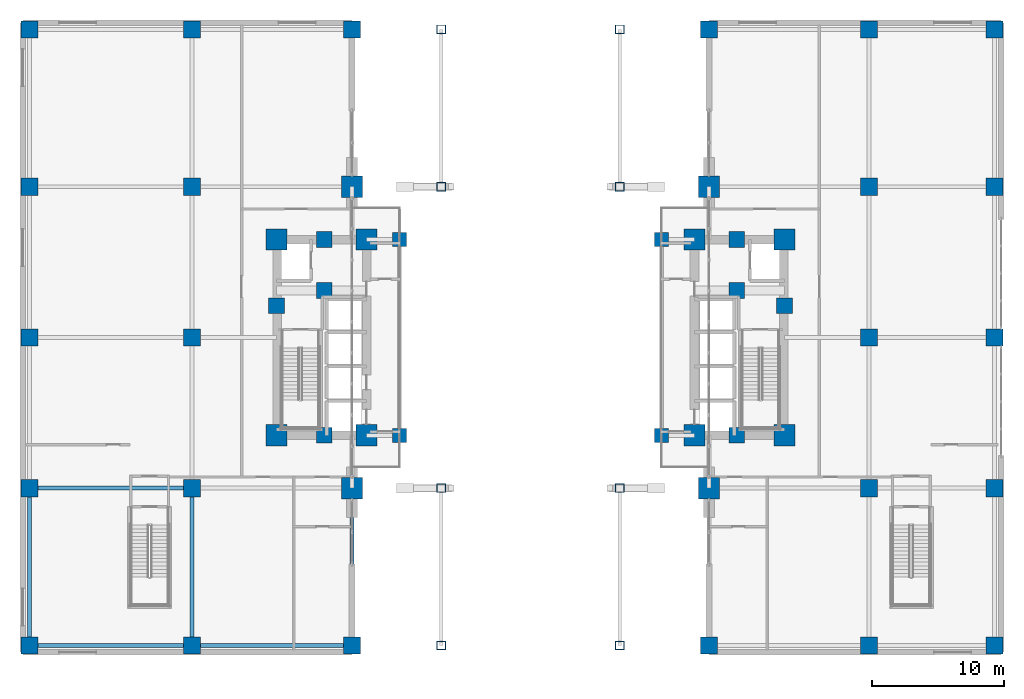
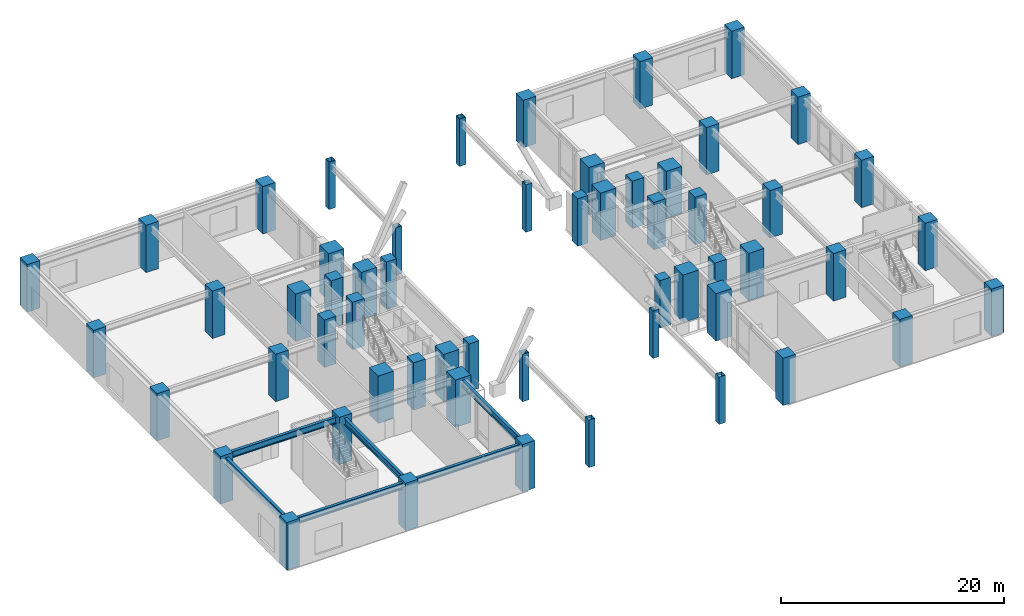
# One storey, part 1 of 26: 56 columns, 6 beams.
"""IFC4 building model written with IfcOpenShell, lengths in metres."""

from ifc_helpers import new_model, si_unit, direction, frame, origin, origin_2d, place, context, subcontext, project, spatial, rectangle, hollow_rectangle, i_section, extrude, material, material_profile, profile_set, type_object, element, save


model = new_model("IFC4")

# Units and contexts
model_context = context("Model", 3, precision=1e-05, world=origin(), true_north=direction((0.0, 1.0)))
body_context = subcontext(model_context, "Body", "Model", "MODEL_VIEW")
ifc_project = project(units=[si_unit("LENGTHUNIT", "METRE"), si_unit("AREAUNIT", "SQUARE_METRE"), si_unit("VOLUMEUNIT", "CUBIC_METRE"), si_unit("PLANEANGLEUNIT", "RADIAN"), si_unit("MASSUNIT", "GRAM", prefix="KILO")], contexts=[model_context])

# Site, building, storey
site_placement = place(None, origin())
site = spatial("IfcSite", under=ifc_project, at=site_placement, CompositionType="ELEMENT")
building_placement = place(site_placement, origin())
building = spatial("IfcBuilding", under=site, at=building_placement, Name="Voryun Gate Residences", CompositionType="ELEMENT")
storey_placement = place(building_placement, frame((0.0, 0.0, 10.39990234375)))
storey = spatial("IfcBuildingStorey", under=building, at=storey_placement, Name="L02", CompositionType="ELEMENT", Elevation=10.39990234375)

# Columns
ifc_material_1 = material(Name="Steel SM420", Category="steel")
ifc_material_profile_1 = material_profile(ifc_material_1, hollow_rectangle(XDim=0.64990234375, YDim=0.64990234375, WallThickness=0.028076171875, at=origin_2d()), Name="BOX-650x650x28")
ifc_profile_set_1 = profile_set([ifc_material_profile_1], Name="Steel SM420")
column_type_1 = type_object("IfcColumnType", Name="COL_ARCH_SPANDREL", PredefinedType="COLUMN", material=ifc_profile_set_1)
for number, where, z_axis, x_axis, name in (
    (1, (-6.75, -23.300048828125, 0.0), (0.0, 0.0, 1.0), (1.0, 0.0, 0.0), "L02 Gate Portal Column (-6.75,-23.3)"),
    (2, (-6.75, -11.39990234375, 0.0), (0.0, 0.0, 1.0), (1.0, 0.0, 0.0), "L02 Gate Portal Column (-6.75,-11.4)"),
    (3, (-6.75, 11.39990234375, 0.0), (0.0, 0.0, 1.0), (1.0, 0.0, 0.0), "L02 Gate Portal Column (-6.75,+11.4)"),
    (4, (-6.75, 23.300048828125, 0.0), (0.0, 0.0, 1.0), (1.0, 0.0, 0.0), "L02 Gate Portal Column (-6.75,+23.3)"),
    (5, (6.75, -23.300048828125, 0.0), (0.0, 0.0, 1.0), (1.0, 0.0, 0.0), "L02 Gate Portal Column (+6.75,-23.3)"),
    (6, (6.75, -11.39990234375, 0.0), (0.0, 0.0, 1.0), (1.0, 0.0, 0.0), "L02 Gate Portal Column (+6.75,-11.4)"),
    (7, (6.75, 11.39990234375, 0.0), (0.0, 0.0, 1.0), (1.0, 0.0, 0.0), "L02 Gate Portal Column (+6.75,+11.4)"),
    (8, (6.75, 23.300048828125, 0.0), (0.0, 0.0, 1.0), (1.0, 0.0, 0.0), "L02 Gate Portal Column (+6.75,+23.3)"),
):
    element("IfcColumn", number, at=place(storey_placement, frame(where, z_axis=z_axis, x_axis=x_axis)), inside=storey, type_object=column_type_1, Name=name, PredefinedType="COLUMN", context=body_context, shape_type="SweptSolid", body=[
        extrude(hollow_rectangle(XDim=0.64990234375, YDim=0.64990234375, WallThickness=0.028076171875, at=origin_2d()), origin(), (0.0, 0.0, 1.0), 5.2001953125),
    ])
ifc_material_2 = material(Name="Concrete C50/60", Category="concrete")
ifc_material_profile_2 = material_profile(ifc_material_2, rectangle(XDim=1.050048828125, YDim=1.050048828125, at=origin_2d()), Name="RC-1050x1050")
ifc_profile_set_2 = profile_set([ifc_material_profile_2], Name="Concrete C50/60")
column_type_2 = type_object("IfcColumnType", Name="COL_CORE_1050", PredefinedType="COLUMN", material=ifc_profile_set_2)
for number, where, z_axis, x_axis, name in (
    (9, (-9.89990234375, -7.39990234375, 0.0), (0.0, 0.0, 1.0), (1.0, 0.0, 0.0), "L02 Core collar column CLR-WS"),
    (10, (-9.89990234375, 7.39990234375, 0.0), (0.0, 0.0, 1.0), (1.0, 0.0, 0.0), "L02 Core collar column CLR-WN"),
    (11, (9.89990234375, -7.39990234375, 0.0), (0.0, 0.0, 1.0), (1.0, 0.0, 0.0), "L02 Core collar column CLR-ES"),
    (12, (9.89990234375, 7.39990234375, 0.0), (0.0, 0.0, 1.0), (1.0, 0.0, 0.0), "L02 Core collar column CLR-EN"),
):
    element("IfcColumn", number, at=place(storey_placement, frame(where, z_axis=z_axis, x_axis=x_axis)), inside=storey, type_object=column_type_2, Name=name, PredefinedType="COLUMN", context=body_context, shape_type="SweptSolid", body=[
        extrude(rectangle(XDim=1.050048828125, YDim=1.050048828125, at=origin_2d()), origin(), (0.0, 0.0, 1.0), 5.2001953125),
    ])
ifc_material_3 = material(Name="Concrete C60/75", Category="concrete")
ifc_material_profile_3 = material_profile(ifc_material_3, rectangle(XDim=1.199951171875, YDim=1.199951171875, at=origin_2d()), Name="RC-1200x1200")
ifc_profile_set_3 = profile_set([ifc_material_profile_3], Name="Concrete C60/75")
column_type_3 = type_object("IfcColumnType", Name="COL_CORE_1200", PredefinedType="COLUMN", material=ifc_profile_set_3)
for number, where, z_axis, x_axis, name in (
    (13, (-19.199951171875, 2.39990234375, 0.0), (0.0, 0.0, 1.0), (1.0, 0.0, 0.0), "L02 Core boundary column WC-MW"),
    (14, (-15.60009765625, -7.39990234375, 0.0), (0.0, 0.0, 1.0), (1.0, 0.0, 0.0), "L02 Core boundary column WC-SM"),
    (15, (-15.60009765625, 7.39990234375, 0.0), (0.0, 0.0, 1.0), (1.0, 0.0, 0.0), "L02 Core boundary column WC-NM"),
    (16, (-15.60009765625, 3.550048828125, 0.0), (0.0, 0.0, 1.0), (1.0, 0.0, 0.0), "L02 Core boundary column WC-MM"),
    (17, (15.60009765625, 3.550048828125, 0.0), (0.0, 0.0, 1.0), (1.0, 0.0, 0.0), "L02 Core boundary column EC-MM"),
    (18, (15.60009765625, -7.39990234375, 0.0), (0.0, 0.0, 1.0), (1.0, 0.0, 0.0), "L02 Core boundary column EC-SM"),
    (19, (15.60009765625, 7.39990234375, 0.0), (0.0, 0.0, 1.0), (1.0, 0.0, 0.0), "L02 Core boundary column EC-NM"),
    (20, (19.199951171875, 2.39990234375, 0.0), (0.0, 0.0, 1.0), (1.0, 0.0, 0.0), "L02 Core boundary column EC-ME"),
):
    element("IfcColumn", number, at=place(storey_placement, frame(where, z_axis=z_axis, x_axis=x_axis)), inside=storey, type_object=column_type_3, Name=name, PredefinedType="COLUMN", context=body_context, shape_type="SweptSolid", body=[
        extrude(rectangle(XDim=1.199951171875, YDim=1.199951171875, at=origin_2d()), origin(), (0.0, 0.0, 1.0), 5.2001953125),
    ])
ifc_material_4 = material(Name="Concrete C60/75", Category="concrete")
ifc_material_profile_4 = material_profile(ifc_material_4, rectangle(XDim=1.300048828125, YDim=1.300048828125, at=origin_2d()), Name="RC-1300x1300")
ifc_profile_set_4 = profile_set([ifc_material_profile_4], Name="Concrete C60/75")
column_type_4 = type_object("IfcColumnType", Name="COL_MEGA_1300", PredefinedType="COLUMN", material=ifc_profile_set_4)
for number, where, z_axis, x_axis, name in (
    (21, (-37.89990234375, -23.300048828125, 0.0), (0.0, 0.0, 1.0), (1.0, 0.0, 0.0), "L02 Podium pier column W11"),
    (22, (-37.89990234375, -11.39990234375, 0.0), (0.0, 0.0, 1.0), (1.0, 0.0, 0.0), "L02 Podium pier column W12"),
    (23, (-37.89990234375, 0.0, 0.0), (0.0, 0.0, 1.0), (1.0, 0.0, 0.0), "L02 Podium pier column W13"),
    (24, (-37.89990234375, 11.39990234375, 0.0), (0.0, 0.0, 1.0), (1.0, 0.0, 0.0), "L02 Podium pier column W14"),
    (25, (-37.89990234375, 23.300048828125, 0.0), (0.0, 0.0, 1.0), (1.0, 0.0, 0.0), "L02 Podium pier column W15"),
    (26, (-25.60009765625, -23.300048828125, 0.0), (0.0, 0.0, 1.0), (1.0, 0.0, 0.0), "L02 Podium pier column W21"),
    (27, (-25.60009765625, -11.39990234375, 0.0), (0.0, 0.0, 1.0), (1.0, 0.0, 0.0), "L02 Podium pier column W22"),
    (28, (-25.60009765625, 0.0, 0.0), (0.0, 0.0, 1.0), (1.0, 0.0, 0.0), "L02 Podium pier column W23"),
    (29, (-25.60009765625, 11.39990234375, 0.0), (0.0, 0.0, 1.0), (1.0, 0.0, 0.0), "L02 Podium pier column W24"),
    (30, (-25.60009765625, 23.300048828125, 0.0), (0.0, 0.0, 1.0), (1.0, 0.0, 0.0), "L02 Podium pier column W25"),
    (31, (-13.5, -23.300048828125, 0.0), (0.0, 0.0, 1.0), (1.0, 0.0, 0.0), "L02 Podium pier column W31"),
    (32, (-13.5, 23.300048828125, 0.0), (0.0, 0.0, 1.0), (1.0, 0.0, 0.0), "L02 Podium pier column W35"),
    (33, (13.5, -23.300048828125, 0.0), (0.0, 0.0, 1.0), (1.0, 0.0, 0.0), "L02 Podium pier column E11"),
    (34, (13.5, 23.300048828125, 0.0), (0.0, 0.0, 1.0), (1.0, 0.0, 0.0), "L02 Podium pier column E15"),
    (35, (25.60009765625, -23.300048828125, 0.0), (0.0, 0.0, 1.0), (1.0, 0.0, 0.0), "L02 Podium pier column E21"),
    (36, (25.60009765625, -11.39990234375, 0.0), (0.0, 0.0, 1.0), (1.0, 0.0, 0.0), "L02 Podium pier column E22"),
    (37, (25.60009765625, 0.0, 0.0), (0.0, 0.0, 1.0), (1.0, 0.0, 0.0), "L02 Podium pier column E23"),
    (38, (25.60009765625, 11.39990234375, 0.0), (0.0, 0.0, 1.0), (1.0, 0.0, 0.0), "L02 Podium pier column E24"),
    (39, (25.60009765625, 23.300048828125, 0.0), (0.0, 0.0, 1.0), (1.0, 0.0, 0.0), "L02 Podium pier column E25"),
    (40, (35.10009765625, -23.300048828125, 0.0), (0.0, 0.0, 1.0), (1.0, 0.0, 0.0), "L02 Podium pier column E31"),
    (41, (35.10009765625, -11.39990234375, 0.0), (0.0, 0.0, 1.0), (1.0, 0.0, 0.0), "L02 Podium pier column E32"),
    (42, (35.10009765625, 0.0, 0.0), (0.0, 0.0, 1.0), (1.0, 0.0, 0.0), "L02 Podium pier column E33"),
    (43, (35.10009765625, 11.39990234375, 0.0), (0.0, 0.0, 1.0), (1.0, 0.0, 0.0), "L02 Podium pier column E34"),
    (44, (35.10009765625, 23.300048828125, 0.0), (0.0, 0.0, 1.0), (1.0, 0.0, 0.0), "L02 Podium pier column E35"),
):
    element("IfcColumn", number, at=place(storey_placement, frame(where, z_axis=z_axis, x_axis=x_axis)), inside=storey, type_object=column_type_4, Name=name, PredefinedType="COLUMN", context=body_context, shape_type="SweptSolid", body=[
        extrude(rectangle(XDim=1.300048828125, YDim=1.300048828125, at=origin_2d()), origin(), (0.0, 0.0, 1.0), 5.2001953125),
    ])
ifc_material_5 = material(Name="Concrete C60/75", Category="concrete")
ifc_material_profile_5 = material_profile(ifc_material_5, rectangle(XDim=1.60009765625, YDim=1.60009765625, at=origin_2d()), Name="RC-1600x1600")
ifc_profile_set_5 = profile_set([ifc_material_profile_5], Name="Concrete C60/75")
column_type_5 = type_object("IfcColumnType", Name="COL_MEGA_1600", PredefinedType="COLUMN", material=ifc_profile_set_5)
for number, where, z_axis, x_axis, name in (
    (45, (-19.199951171875, -7.39990234375, 0.0), (0.0, 0.0, 1.0), (1.0, 0.0, 0.0), "L02 Core boundary column WC-SW"),
    (46, (-19.199951171875, 7.39990234375, 0.0), (0.0, 0.0, 1.0), (1.0, 0.0, 0.0), "L02 Core boundary column WC-NW"),
    (47, (-12.39990234375, -7.39990234375, 0.0), (0.0, 0.0, 1.0), (1.0, 0.0, 0.0), "L02 Core boundary column WC-SE"),
    (48, (-12.39990234375, 7.39990234375, 0.0), (0.0, 0.0, 1.0), (1.0, 0.0, 0.0), "L02 Core boundary column WC-NE"),
    (49, (12.39990234375, -7.39990234375, 0.0), (0.0, 0.0, 1.0), (1.0, 0.0, 0.0), "L02 Core boundary column EC-SW"),
    (50, (12.39990234375, 7.39990234375, 0.0), (0.0, 0.0, 1.0), (1.0, 0.0, 0.0), "L02 Core boundary column EC-NW"),
    (51, (19.199951171875, -7.39990234375, 0.0), (0.0, 0.0, 1.0), (1.0, 0.0, 0.0), "L02 Core boundary column EC-SE"),
    (52, (19.199951171875, 7.39990234375, 0.0), (0.0, 0.0, 1.0), (1.0, 0.0, 0.0), "L02 Core boundary column EC-NE"),
    (53, (-13.5, -11.39990234375, 0.0), (0.0, 0.0, 1.0), (1.0, 0.0, 0.0), "L02 Podium pier column W32"),
    (54, (-13.5, 11.39990234375, 0.0), (0.0, 0.0, 1.0), (1.0, 0.0, 0.0), "L02 Podium pier column W34"),
    (55, (13.5, -11.39990234375, 0.0), (0.0, 0.0, 1.0), (1.0, 0.0, 0.0), "L02 Podium pier column E12"),
    (56, (13.5, 11.39990234375, 0.0), (0.0, 0.0, 1.0), (1.0, 0.0, 0.0), "L02 Podium pier column E14"),
):
    element("IfcColumn", number, at=place(storey_placement, frame(where, z_axis=z_axis, x_axis=x_axis)), inside=storey, type_object=column_type_5, Name=name, PredefinedType="COLUMN", context=body_context, shape_type="SweptSolid", body=[
        extrude(rectangle(XDim=1.60009765625, YDim=1.60009765625, at=origin_2d()), origin(), (0.0, 0.0, 1.0), 5.2001953125),
    ])

# Beams
ifc_material_6 = material(Name="Steel SM355", Category="steel")
ifc_material_profile_6 = material_profile(ifc_material_6, i_section(OverallWidth=0.300048828125, OverallDepth=0.699951171875, WebThickness=0.012939453125, FlangeThickness=0.02392578125, FilletRadius=0.01806640625, at=origin_2d()), Name="H-700x300x13x24")
ifc_profile_set_6 = profile_set([ifc_material_profile_6], Name="Steel SM355")
beam_type = type_object("IfcBeamType", Name="BM_GIRD_700", PredefinedType="USERDEFINED", material=ifc_profile_set_6)
beam_1_placement = place(storey_placement, frame((-37.89990234375, -23.300048828125, 4.570068359375), z_axis=(1.0, 0.0, 0.0), x_axis=(0.0, 1.0, 0.0)))
element("IfcBeam", 57, at=beam_1_placement, inside=storey, type_object=beam_type, Name="BM-L02-PWX--23.3-0", ObjectType="GIRDER", PredefinedType="USERDEFINED", context=body_context, shape_type="SweptSolid", body=[
    extrude(i_section(OverallWidth=0.300048828125, OverallDepth=0.699951171875, WebThickness=0.012939453125, FlangeThickness=0.02392578125, FilletRadius=0.01806640625, at=origin_2d()), origin(), (0.0, 0.0, 1.0), 12.2998046875),
])
beam_2_placement = place(storey_placement, frame((-25.60009765625, -23.300048828125, 4.570068359375), z_axis=(1.0, 0.0, 0.0), x_axis=(0.0, 1.0, 0.0)))
element("IfcBeam", 58, at=beam_2_placement, inside=storey, type_object=beam_type, Name="BM-L02-PWX--23.3-1", ObjectType="GIRDER", PredefinedType="USERDEFINED", context=body_context, shape_type="SweptSolid", body=[
    extrude(i_section(OverallWidth=0.300048828125, OverallDepth=0.699951171875, WebThickness=0.012939453125, FlangeThickness=0.02392578125, FilletRadius=0.01806640625, at=origin_2d()), origin(), (0.0, 0.0, 1.0), 12.10009765625),
])
beam_3_placement = place(storey_placement, frame((-37.89990234375, -11.39990234375, 4.570068359375), z_axis=(1.0, 0.0, 0.0), x_axis=(0.0, 1.0, 0.0)))
element("IfcBeam", 59, at=beam_3_placement, inside=storey, type_object=beam_type, Name="BM-L02-PWX--11.4-0", ObjectType="GIRDER", PredefinedType="USERDEFINED", context=body_context, shape_type="SweptSolid", body=[
    extrude(i_section(OverallWidth=0.300048828125, OverallDepth=0.699951171875, WebThickness=0.012939453125, FlangeThickness=0.02392578125, FilletRadius=0.01806640625, at=origin_2d()), origin(), (0.0, 0.0, 1.0), 12.2998046875),
])
for number, where, z_axis, x_axis, name in (
    (60, (-37.89990234375, -23.300048828125, 4.570068359375), (0.0, 1.0, 0.0), (-1.0, 0.0, 0.0), "BM-L02-PWY--37.9-0"),
    (61, (-25.60009765625, -23.300048828125, 4.570068359375), (0.0, 1.0, 0.0), (-1.0, 0.0, 0.0), "BM-L02-PWY--25.6-0"),
    (62, (-13.5, -23.300048828125, 4.570068359375), (0.0, 1.0, 0.0), (-1.0, 0.0, 0.0), "BM-L02-PWYA--23.3"),
):
    element("IfcBeam", number, at=place(storey_placement, frame(where, z_axis=z_axis, x_axis=x_axis)), inside=storey, type_object=beam_type, Name=name, ObjectType="GIRDER", PredefinedType="USERDEFINED", context=body_context, shape_type="SweptSolid", body=[
        extrude(i_section(OverallWidth=0.300048828125, OverallDepth=0.699951171875, WebThickness=0.012939453125, FlangeThickness=0.02392578125, FilletRadius=0.01806640625, at=origin_2d()), origin(), (0.0, 0.0, 1.0), 11.900146484375),
    ])

save(model, "model.ifc")
